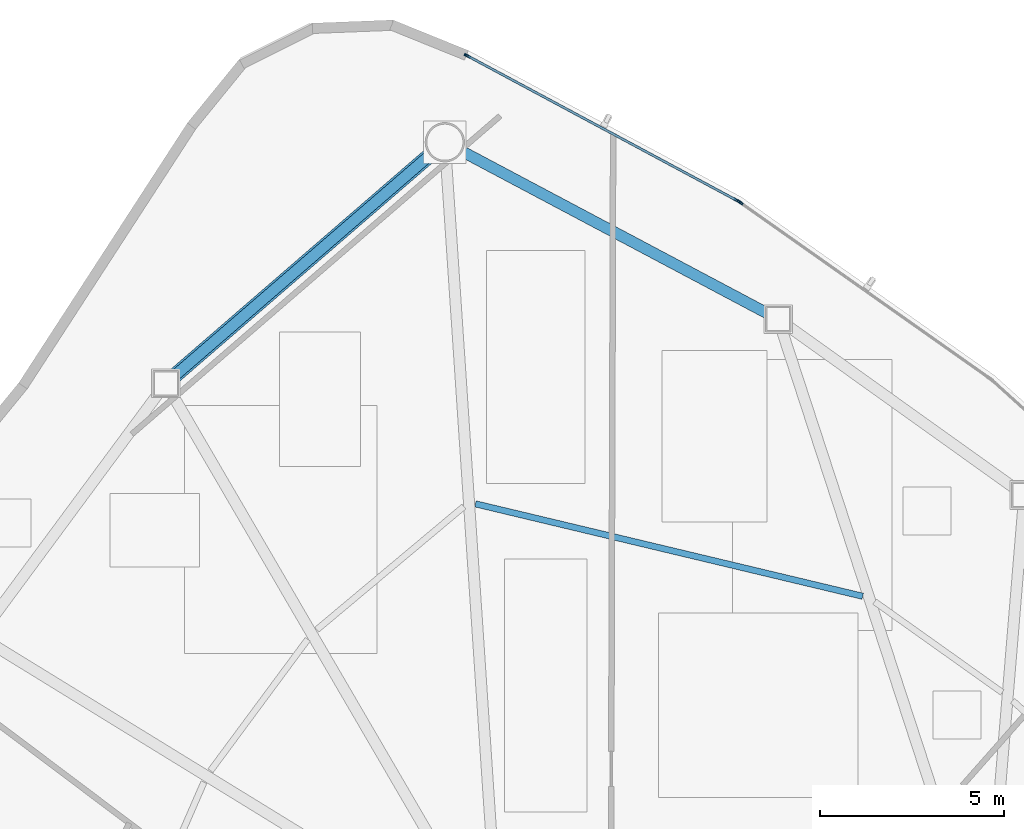
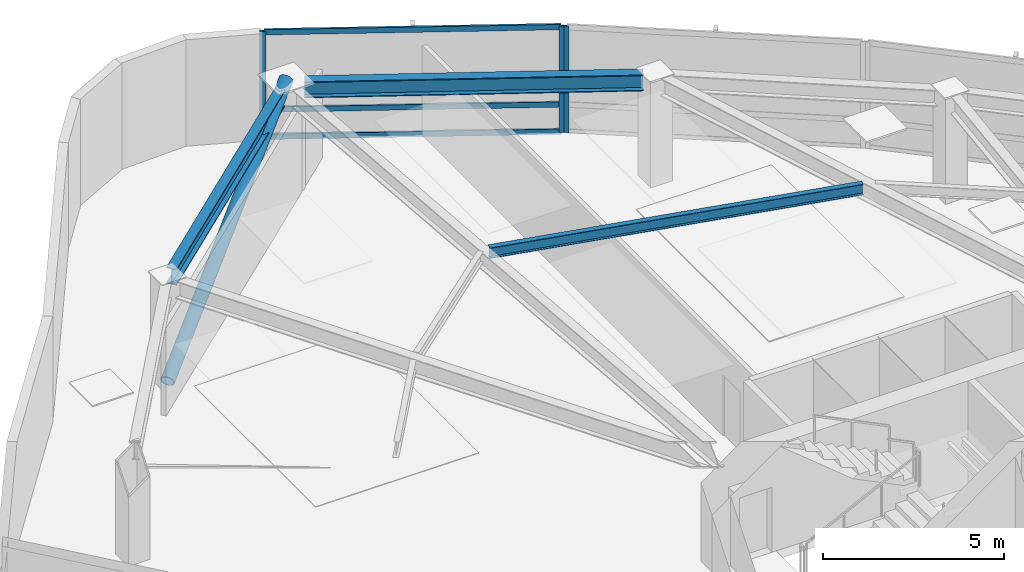
# One storey, part 8 of 17: 7 members, 3 beams, 2 elements without a shape of their own.
"""IFC4 building model written with IfcOpenShell, lengths in metres."""

from ifc_helpers import new_model, si_unit, direction, frame, origin, origin_2d, place, context, subcontext, project, spatial, hollow_rectangle, hollow_circle, i_section, extrude, source, transform, mapped, material, layer, layer_set, material_profile, profile_set, type_object, type_shapes, element, aggregate, save


model = new_model("IFC4")

# Units and contexts
model_context = context("Model", 3, precision=1e-05, world=origin(), true_north=direction((0.0, 1.0)))
body_context = subcontext(model_context, "Body", "Model", "MODEL_VIEW")
ifc_project = project(units=[si_unit("LENGTHUNIT", "METRE"), si_unit("AREAUNIT", "SQUARE_METRE"), si_unit("VOLUMEUNIT", "CUBIC_METRE"), si_unit("PLANEANGLEUNIT", "RADIAN"), si_unit("MASSUNIT", "GRAM", prefix="KILO")], contexts=[model_context])

# Site, building, storey
site_placement = place(None, origin())
site = spatial("IfcSite", under=ifc_project, at=site_placement, CompositionType="ELEMENT")
building_placement = place(site_placement, origin())
building = spatial("IfcBuilding", under=site, at=building_placement, Name="Tavelor Broadcast Tower", CompositionType="ELEMENT")
storey_placement = place(building_placement, frame((0.0, 0.0, 86.10009765625)))
storey = spatial("IfcBuildingStorey", under=building, at=storey_placement, Name="L20", CompositionType="ELEMENT", Elevation=86.10009765625)

# Beams
ifc_material_1 = material(Name="Steel S355", Category="steel")
ifc_material_profile_1 = material_profile(ifc_material_1, i_section(OverallWidth=0.169921875, OverallDepth=0.360107421875, WebThickness=0.008056640625, FlangeThickness=0.0126953125, at=origin_2d()), Name="IPE 360")
ifc_profile_set_1 = profile_set([ifc_material_profile_1], Name="Steel S355")
beam_type_1 = type_object("IfcBeamType", Name="Composite Floor Joist T2 IPE 360", PredefinedType="JOIST", material=ifc_profile_set_1)
beam_1_placement = place(storey_placement, frame((53.252685546875, 60.954345703125, 3.419921875), z_axis=(-0.97267356202, 0.232176962139, 0.0), x_axis=(-0.232176962139, -0.97267356202, 0.0)))
element("IfcBeam", 1, at=beam_1_placement, inside=storey, type_object=beam_type_1, Name="L20 Secondary Composite Floor Joist 18", PredefinedType="JOIST", context=body_context, shape_type="SweptSolid", body=[
    extrude(i_section(OverallWidth=0.169921875, OverallDepth=0.360107421875, WebThickness=0.008056640625, FlangeThickness=0.0126953125, at=origin_2d()), origin(), (0.0, 0.0, 1.0), 10.794921875),
])
ifc_material_profile_2 = material_profile(ifc_material_1, i_section(OverallWidth=0.300048828125, OverallDepth=0.550048828125, WebThickness=0.014892578125, FlangeThickness=0.029052734375, at=origin_2d()), Name="HEB 550")
ifc_profile_set_2 = profile_set([ifc_material_profile_2], Name="Steel S355")
beam_type_2 = type_object("IfcBeamType", Name="Perimeter Spandrel Beam T2 HEB 550", PredefinedType="SPANDREL", material=ifc_profile_set_2)
beam_2_placement = place(storey_placement, frame((41.535400390625, 72.931396484375, 3.324951171875), z_axis=(-0.756652037371, -0.653817783746, 0.0), x_axis=(0.653817783746, -0.756652037371, 0.0)))
element("IfcBeam", 2, at=beam_2_placement, inside=storey, type_object=beam_type_2, Name="L20 Framed-Tube Ring Spandrel 01", PredefinedType="SPANDREL", context=body_context, shape_type="SweptSolid", body=[
    extrude(i_section(OverallWidth=0.300048828125, OverallDepth=0.550048828125, WebThickness=0.014892578125, FlangeThickness=0.029052734375, at=origin_2d()), origin(), (0.0, 0.0, 1.0), 9.15234375),
])
beam_3_placement = place(storey_placement, frame((50.6650390625, 68.626220703125, 3.324951171875), z_axis=(-0.883288784051, 0.468829312192, 0.0), x_axis=(-0.468829312192, -0.883288784051, 0.0)))
element("IfcBeam", 3, at=beam_3_placement, inside=storey, type_object=beam_type_2, Name="L20 Framed-Tube Ring Spandrel 18", PredefinedType="SPANDREL", context=body_context, shape_type="SweptSolid", body=[
    extrude(i_section(OverallWidth=0.300048828125, OverallDepth=0.550048828125, WebThickness=0.014892578125, FlangeThickness=0.029052734375, at=origin_2d()), origin(), (0.0, 0.0, 1.0), 9.384765625),
])

# Member
ifc_material_profile_3 = material_profile(ifc_material_1, hollow_circle(Radius=0.203125, WallThickness=0.02001953125, at=origin_2d()), Name="CHS 406.4x20")
ifc_profile_set_3 = profile_set([ifc_material_profile_3], Name="Steel S355")
member_type_1 = type_object("IfcMemberType", Name="Perimeter Tube Brace T2 CHS 406.4x20", PredefinedType="BRACE", material=ifc_profile_set_3)
member_1_placement = place(storey_placement, frame((34.356201171875, 66.727783203125, 0.0), z_axis=(0.711928728007, 0.615179557123, 0.338691007758), x_axis=(-0.653821967179, 0.756648422475, 0.0)))
element("IfcMember", 4, at=member_1_placement, inside=storey, type_object=member_type_1, Name="L20 Corner Tube Diagonal Brace 1", PredefinedType="BRACE", context=body_context, shape_type="SweptSolid", body=[
    extrude(hollow_circle(Radius=0.203125, WallThickness=0.02001953125, at=origin_2d()), origin(), (0.0, 0.0, 1.0), 10.628662109375),
])

# Curtain wall, member
ifc_material_2 = material(Name="Architectural Anodized Aluminium", Category="aluminium")
ifc_layer = layer(ifc_material_2, 0.179931640625)
ifc_layer_set = layer_set([ifc_layer], Name="Architectural Anodized Aluminium")
curtain_wall_type = type_object("IfcCurtainWallType", Name="Tower Low-Zone Unitised Curtain Wall CW02", PredefinedType="NOTDEFINED", material=ifc_layer_set)
curtain_wall_1_placement = place(storey_placement, origin())
curtain_wall_1 = element("IfcCurtainWall", 5, at=curtain_wall_1_placement, inside=storey, type_object=curtain_wall_type, Name="L20 Curtain Wall CW02 Run 203", PredefinedType="NOTDEFINED")
ifc_material_profile_4 = material_profile(ifc_material_2, hollow_rectangle(XDim=0.06494140625, YDim=0.179931640625, WallThickness=0.02197265625, at=origin_2d()), Name="RHS 65x180x22")
ifc_profile_set_4 = profile_set([ifc_material_profile_4], Name="Architectural Anodized Aluminium")
member_type_2 = type_object("IfcMemberType", Name="CW02 Extruded Aluminium Mullion 65x180", PredefinedType="MULLION", material=ifc_profile_set_4)
shared_shape_1 = source(origin(), body_context, "Body", "SweptSolid", [
    extrude(hollow_rectangle(XDim=0.06494140625, YDim=0.179931640625, WallThickness=0.02197265625, at=origin_2d()), origin(), (0.0, 0.0, 1.0), 3.599853515625),
])
type_shapes(member_type_2, [shared_shape_1])
member_2_placement = place(storey_placement, frame((49.927734375, 71.63427734375, 0.0), z_axis=(0.0, 0.0, 1.0), x_axis=(-0.576063380284, -0.817405029282, 0.0)))
member_2 = element("IfcMember", 6, at=member_2_placement, type_object=member_type_2, Name="CW02 mullion 2", PredefinedType="MULLION", context=body_context, shape_type="MappedRepresentation", body=[
    mapped(shared_shape_1, transform((0.0, 0.0, 0.0), scale=1.0)),
])
aggregate(curtain_wall_1, [member_2])

# Curtain wall, members
curtain_wall_2_placement = place(storey_placement, origin())
curtain_wall_2 = element("IfcCurtainWall", 7, at=curtain_wall_2_placement, inside=storey, type_object=curtain_wall_type, Name="L20 Curtain Wall CW02 Run 204", PredefinedType="NOTDEFINED")
member_3_placement = place(storey_placement, frame((49.84716796875, 71.68408203125, 0.0), z_axis=(0.0, 0.0, 1.0), x_axis=(-0.472914123447, -0.881108524442, 0.0)))
member_3 = element("IfcMember", 8, at=member_3_placement, type_object=member_type_2, Name="CW02 mullion 1", PredefinedType="MULLION", context=body_context, shape_type="MappedRepresentation", body=[
    mapped(shared_shape_1, transform((0.0, 0.0, 0.0), scale=1.0)),
])
member_4_placement = place(storey_placement, frame((42.5322265625, 75.6103515625, 0.0), z_axis=(0.0, 0.0, 1.0), x_axis=(-0.472914123447, -0.881108524442, 0.0)))
member_4 = element("IfcMember", 9, at=member_4_placement, type_object=member_type_2, Name="CW02 mullion 2", PredefinedType="MULLION", context=body_context, shape_type="MappedRepresentation", body=[
    mapped(shared_shape_1, transform((0.0, 0.0, 0.0), scale=1.0)),
])
ifc_material_profile_5 = material_profile(ifc_material_2, hollow_rectangle(XDim=0.06494140625, YDim=0.179931640625, WallThickness=0.02197265625, at=origin_2d()), Name="RHS 65x180x22")
ifc_profile_set_5 = profile_set([ifc_material_profile_5], Name="Architectural Anodized Aluminium")
member_type_3 = type_object("IfcMemberType", Name="CW02 Extruded Aluminium Transom 65x180", PredefinedType="USERDEFINED", material=ifc_profile_set_5)
shared_shape_2 = source(origin(), body_context, "Body", "SweptSolid", [
    extrude(hollow_rectangle(XDim=0.06494140625, YDim=0.179931640625, WallThickness=0.02197265625, at=origin_2d()), origin(), (0.0, 0.0, 1.0), 8.237060546875),
])
type_shapes(member_type_3, [shared_shape_2])
member_5_placement = place(storey_placement, frame((49.818359375, 71.699462890625, 0.032470703125), z_axis=(-0.88109942066, 0.472931084739, 0.0), x_axis=(-0.472931084739, -0.88109942066, 0.0)))
member_5 = element("IfcMember", 10, at=member_5_placement, type_object=member_type_3, Name="CW02 transom 1.1", ObjectType="TRANSOM", PredefinedType="USERDEFINED", context=body_context, shape_type="MappedRepresentation", body=[
    mapped(shared_shape_2, transform((0.0, 0.0, 0.0), scale=1.0)),
])
member_6_placement = place(storey_placement, frame((49.818359375, 71.699462890625, 0.949951171875), z_axis=(-0.88109942066, 0.472931084739, 0.0), x_axis=(-0.472931084739, -0.88109942066, 0.0)))
member_6 = element("IfcMember", 11, at=member_6_placement, type_object=member_type_3, Name="CW02 transom 1.2", ObjectType="TRANSOM", PredefinedType="USERDEFINED", context=body_context, shape_type="MappedRepresentation", body=[
    mapped(shared_shape_2, transform((0.0, 0.0, 0.0), scale=1.0)),
])
member_7_placement = place(storey_placement, frame((49.818359375, 71.699462890625, 3.5673828125), z_axis=(-0.88109942066, 0.472931084739, 0.0), x_axis=(-0.472931084739, -0.88109942066, 0.0)))
member_7 = element("IfcMember", 12, at=member_7_placement, type_object=member_type_3, Name="CW02 transom 1.3", ObjectType="TRANSOM", PredefinedType="USERDEFINED", context=body_context, shape_type="MappedRepresentation", body=[
    mapped(shared_shape_2, transform((0.0, 0.0, 0.0), scale=1.0)),
])
aggregate(curtain_wall_2, [member_3, member_4, member_5, member_6, member_7])

save(model, "model.ifc")
